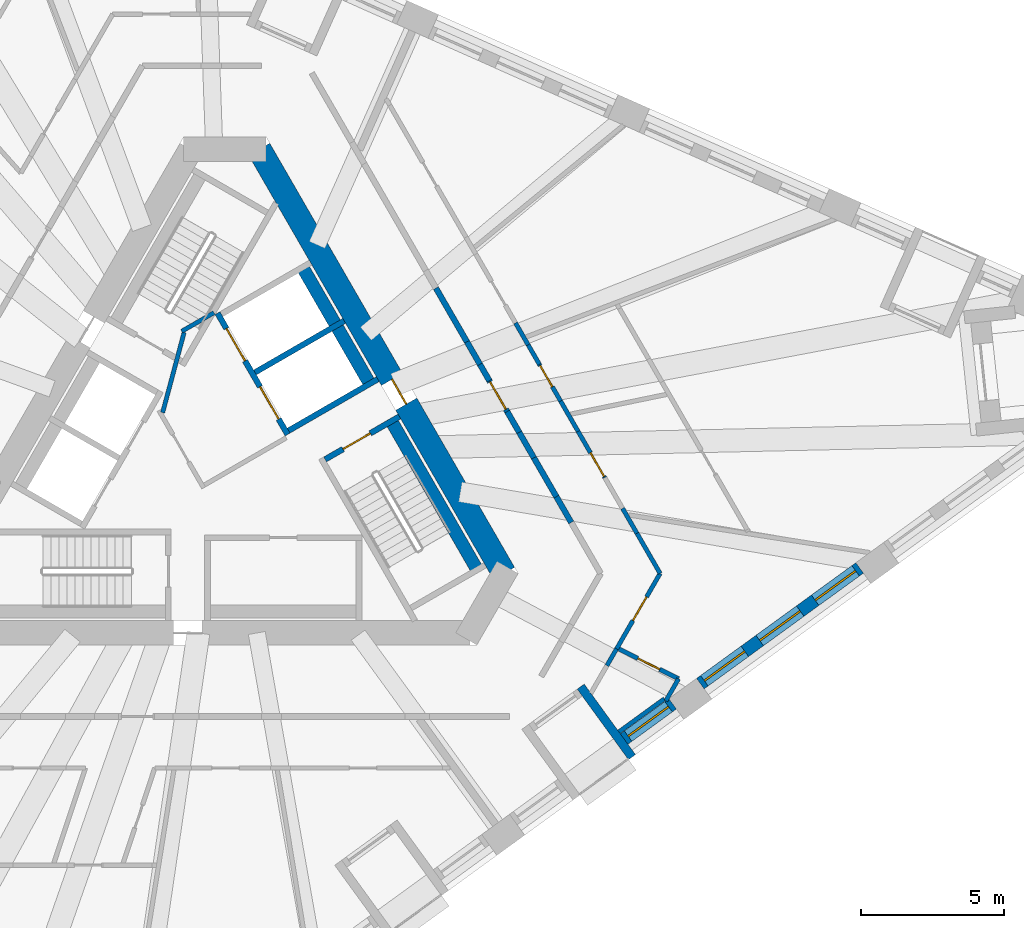
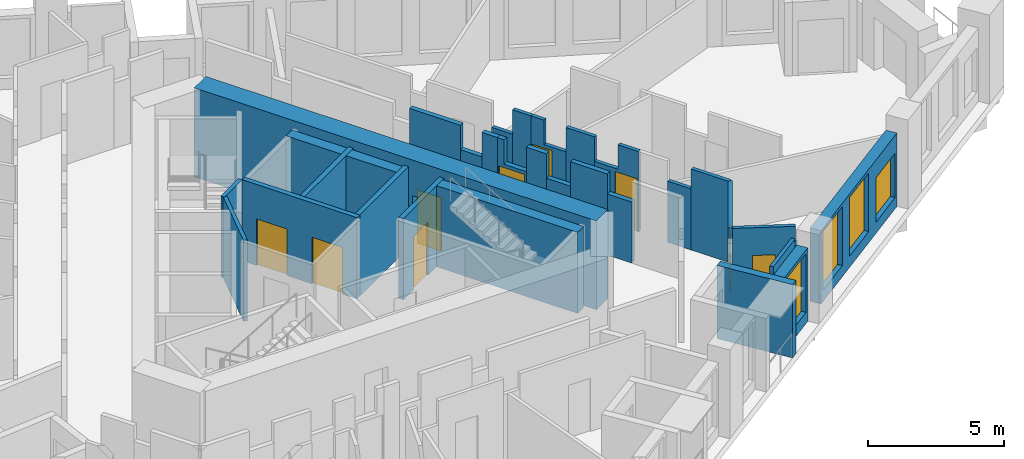
# One storey, part 5 of 14: 32 walls, 9 doors, 4 windows, 13 openings.
"""IFC4 building model written with IfcOpenShell, lengths in metres."""

from ifc_helpers import new_model, si_unit, direction, frame, frame_2d, origin, place, context, subcontext, project, spatial, polyline, rectangle, outline, extrude, material, layer, layer_set, type_object, element, fill, save


model = new_model("IFC4")

# Units and contexts
model_context = context("Model", 3, precision=1e-05, world=origin(), true_north=direction((0.0, 1.0)))
body_context = subcontext(model_context, "Body", "Model", "MODEL_VIEW")
ifc_project = project(units=[si_unit("LENGTHUNIT", "METRE"), si_unit("AREAUNIT", "SQUARE_METRE"), si_unit("VOLUMEUNIT", "CUBIC_METRE"), si_unit("PLANEANGLEUNIT", "RADIAN"), si_unit("MASSUNIT", "GRAM", prefix="KILO")], contexts=[model_context])

# Site, building, storey
site_placement = place(None, origin())
site = spatial("IfcSite", under=ifc_project, at=site_placement, CompositionType="ELEMENT")
building_placement = place(site_placement, origin())
building = spatial("IfcBuilding", under=site, at=building_placement, Name="Tramontana Tower", CompositionType="ELEMENT")
storey_placement = place(building_placement, frame((0.0, 0.0, 166.800048828125)))
storey = spatial("IfcBuildingStorey", under=building, at=storey_placement, Name="L38", CompositionType="ELEMENT", Elevation=166.800048828125)

# Wall, opening, door
ifc_material_1 = material(Name="Concrete 70 MPa", Category="concrete")
ifc_layer_1 = layer(ifc_material_1, 0.85009765625)
ifc_layer_set_1 = layer_set([ifc_layer_1], Name="Core wall 850 70 MPa")
wall_type_1 = type_object("IfcWallType", Name="Core wall 850 70 MPa", PredefinedType="SHEAR", material=ifc_layer_set_1)
wall_1_placement = place(storey_placement, frame((9.757080078125, -4.25, 0.0), z_axis=(0.0, 0.0, 1.0), x_axis=(-0.499995289315, 0.866028123483, 0.0)))
wall_1 = element("IfcWall", 1, at=wall_1_placement, inside=storey, type_object=wall_type_1, Name="Core wall C5 L38", PredefinedType="SHEAR", context=body_context, shape_type="SweptSolid", body=[
    extrude(rectangle(XDim=17.118408203125, YDim=0.85009765625, at=frame_2d((8.55908203125, 0.0))), origin(), (0.0, 0.0, 1.0), 4.0),
])
opening_1_placement = place(wall_1_placement, frame((6.834228515625, 0.0, 0.0)))
opening_1 = element("IfcOpeningElement", 2, at=opening_1_placement, cuts=wall_1, Name="Opening RG3", PredefinedType="OPENING", context=body_context, shape_type="SweptSolid", body=[
    extrude(rectangle(XDim=1.0, YDim=2.39990234375, at=frame_2d((0.5, 1.199951171875))), frame((0.0, 0.43505859375, 0.0), z_axis=(0.0, -1.0, 0.0), x_axis=(1.0, 0.0, 0.0)), (0.0, 0.0, 1.0), 0.8701171875),
])
ifc_material_2 = material(Name="Painted steel", Category="steel")
door_type_1 = type_object("IfcDoorType", Name="RING DOOR 1000", OperationType="SINGLE_SWING_LEFT", PredefinedType="DOOR", material=ifc_material_2)
door_1_placement = place(opening_1_placement, origin())
door_1 = element("IfcDoor", 3, at=door_1_placement, inside=storey, type_object=door_type_1, Name="Door RG3", OperationType="SINGLE_SWING_LEFT", OverallHeight=2.39990234375, OverallWidth=1.0, PredefinedType="DOOR", context=body_context, shape_type="SweptSolid", body=[
    extrude(rectangle(XDim=1.0, YDim=2.39990234375, at=frame_2d((0.5, 1.199951171875))), frame((0.0, 0.02490234375, 0.0), z_axis=(0.0, -1.0, 0.0), x_axis=(1.0, 0.0, 0.0)), (0.0, 0.0, 1.0), 0.050048828125),
])
fill(opening_1, door_1)

# Walls
ifc_material_3 = material(Name="Blockwork", Category="masonry")
ifc_layer_2 = layer(ifc_material_3, 0.199951171875)
ifc_layer_set_2 = layer_set([ifc_layer_2], Name="ENTRY WALL 200")
wall_type_2 = type_object("IfcWallType", Name="ENTRY WALL 200", PredefinedType="SOLIDWALL", material=ifc_layer_set_2)
wall_2_placement = place(storey_placement, frame((7.37548828125, 5.725341796875, 0.0), z_axis=(0.0, 0.0, 1.0), x_axis=(0.499975720793, -0.866039420937, 0.0)))
element("IfcWall", 4, at=wall_2_placement, inside=storey, type_object=wall_type_2, Name="Wall v40-ew0-4", PredefinedType="SOLIDWALL", context=body_context, shape_type="SweptSolid", body=[
    extrude(rectangle(XDim=2.16943359375, YDim=0.199951171875, at=frame_2d((1.084716796875, 0.0))), origin(), (0.0, 0.0, 1.0), 3.64990234375),
])
wall_3_placement = place(storey_placement, frame((8.460205078125, 3.846435546875, 0.0), z_axis=(0.0, 0.0, 1.0), x_axis=(0.499977996243, -0.866038107287, 0.0)))
element("IfcWall", 5, at=wall_3_placement, inside=storey, type_object=wall_type_2, Name="Wall v40-ew0-5", PredefinedType="SOLIDWALL", context=body_context, shape_type="SweptSolid", body=[
    extrude(rectangle(XDim=0.90966796875, YDim=0.199951171875, at=frame_2d((0.454833984375, 0.0))), origin(), (0.0, 0.0, 1.0), 2.550048828125),
])
wall_4_placement = place(storey_placement, frame((8.9150390625, 3.05859375, 0.0), z_axis=(0.0, 0.0, 1.0), x_axis=(0.49988272303, -0.866093103087, 0.0)))
element("IfcWall", 6, at=wall_4_placement, inside=storey, type_object=wall_type_2, Name="Wall v40-ew0-6", PredefinedType="SOLIDWALL", context=body_context, shape_type="SweptSolid", body=[
    extrude(rectangle(XDim=0.659423828125, YDim=0.199951171875, at=frame_2d((0.32958984375, 0.0))), origin(), (0.0, 0.0, 1.0), 3.64990234375),
])

# Wall, opening, door
wall_5_placement = place(storey_placement, frame((9.24462890625, 2.487548828125, 0.0), z_axis=(0.0, 0.0, 1.0), x_axis=(0.500124074208, -0.865953757655, 0.0)))
wall_5 = element("IfcWall", 7, at=wall_5_placement, inside=storey, type_object=wall_type_2, Name="Wall v40-ew0-7", PredefinedType="SOLIDWALL", context=body_context, shape_type="SweptSolid", body=[
    extrude(outline(polyline([(0.0, 0.0), (1.245361328125, 0.0), (1.2451171875, 2.550048828125), (0.291748046875, 2.550048828125), (0.291748046875, 3.64990234375), (0.0, 3.64990234375), (0.0, 0.0)])), frame((0.0, 0.10009765625, 0.0), z_axis=(0.0, -1.0, 0.0), x_axis=(1.0, 0.0, 0.0)), (0.0, 0.0, 1.0), 0.199951171875),
])
opening_2_placement = place(wall_5_placement, frame((0.050048828125, 0.0, 0.0)))
opening_2 = element("IfcOpeningElement", 8, at=opening_2_placement, cuts=wall_5, Name="Opening B4A-24", PredefinedType="OPENING", context=body_context, shape_type="SweptSolid", body=[
    extrude(rectangle(XDim=1.10009765625, YDim=2.39990234375, at=frame_2d((0.550048828125, 1.199951171875))), frame((0.0, 0.10986328125, 0.0), z_axis=(0.0, -1.0, 0.0), x_axis=(1.0, 0.0, 0.0)), (0.0, 0.0, 1.0), 0.219970703125),
])
ifc_material_4 = material(Name="Painted timber", Category="wood")
door_type_2 = type_object("IfcDoorType", Name="DOOR ENTRY 1100", OperationType="SINGLE_SWING_LEFT", PredefinedType="DOOR", material=ifc_material_4)
door_2_placement = place(opening_2_placement, origin())
door_2 = element("IfcDoor", 9, at=door_2_placement, inside=storey, type_object=door_type_2, Name="Door B4A-24", OperationType="SINGLE_SWING_RIGHT", OverallHeight=2.39990234375, OverallWidth=1.10009765625, PredefinedType="DOOR", context=body_context, shape_type="SweptSolid", body=[
    extrude(rectangle(XDim=1.10009765625, YDim=2.39990234375, at=frame_2d((0.550048828125, 1.199951171875))), frame((0.0, 0.02490234375, 0.0), z_axis=(0.0, -1.0, 0.0), x_axis=(1.0, 0.0, 0.0)), (0.0, 0.0, 1.0), 0.050048828125),
])
fill(opening_2, door_2)

# Walls
wall_6_placement = place(storey_placement, frame((9.867431640625, 1.4091796875, 0.0), z_axis=(0.0, 0.0, 1.0), x_axis=(0.499822960955, -0.8661275932, 0.0)))
element("IfcWall", 10, at=wall_6_placement, inside=storey, type_object=wall_type_2, Name="Wall v40-ew0-8", PredefinedType="SOLIDWALL", context=body_context, shape_type="SweptSolid", body=[
    extrude(rectangle(XDim=0.841064453125, YDim=0.199951171875, at=frame_2d((0.42041015625, 0.0))), origin(), (0.0, 0.0, 1.0), 3.64990234375),
])
wall_7_placement = place(storey_placement, frame((10.287841796875, 0.6806640625, 0.0), z_axis=(0.0, 0.0, 1.0), x_axis=(0.500079402778, -0.865979555715, 0.0)))
element("IfcWall", 11, at=wall_7_placement, inside=storey, type_object=wall_type_2, Name="Wall v40-ew0-9", PredefinedType="SOLIDWALL", context=body_context, shape_type="SweptSolid", body=[
    extrude(rectangle(XDim=1.026123046875, YDim=0.199951171875, at=frame_2d((0.51318359375, 0.0))), origin(), (0.0, 0.0, 1.0), 2.550048828125),
])
wall_8_placement = place(storey_placement, frame((10.801025390625, -0.2080078125, 0.0), z_axis=(0.0, 0.0, 1.0), x_axis=(0.500031717574, -0.86600709086, 0.0)))
element("IfcWall", 12, at=wall_8_placement, inside=storey, type_object=wall_type_2, Name="Wall v40-ew0-10", PredefinedType="SOLIDWALL", context=body_context, shape_type="SweptSolid", body=[
    extrude(rectangle(XDim=1.57177734375, YDim=0.199951171875, at=frame_2d((0.785888671875, 0.0))), origin(), (0.0, 0.0, 1.0), 3.64990234375),
])
wall_9_placement = place(storey_placement, frame((11.5869140625, -1.569091796875, 0.0), z_axis=(0.0, 0.0, 1.0), x_axis=(0.500054530113, -0.86599391852, 0.0)))
element("IfcWall", 13, at=wall_9_placement, inside=storey, type_object=wall_type_2, Name="Wall v40-ew0-11", PredefinedType="SOLIDWALL", context=body_context, shape_type="SweptSolid", body=[
    extrude(rectangle(XDim=1.03955078125, YDim=0.199951171875, at=frame_2d((0.519775390625, 0.0))), origin(), (0.0, 0.0, 1.0), 2.75),
])

# Wall, opening, window
ifc_material_5 = material(Name="Precast concrete 60 MPa", Category="concrete")
ifc_layer_3 = layer(ifc_material_5, 0.449951171875)
ifc_layer_set_3 = layer_set([ifc_layer_3], Name="Precast concrete 60 MPa, 450 mm")
wall_type_3 = type_object("IfcWallType", Name="EW1 Stone-faced precast wall 450", PredefinedType="SOLIDWALL", material=ifc_layer_set_3)
wall_10_placement = place(storey_placement, frame((13.955078125, -10.039794921875, 0.0), z_axis=(0.0, 0.0, 1.0), x_axis=(0.809028366311, 0.587769599847, 0.0)))
wall_10 = element("IfcWall", 14, at=wall_10_placement, inside=storey, type_object=wall_type_3, Name="External wall L38 face 1 bay 4", PredefinedType="SOLIDWALL", context=body_context, shape_type="SweptSolid", body=[
    extrude(rectangle(XDim=2.09423828125, YDim=0.449951171875, at=frame_2d((1.047119140625, 0.0))), origin(), (0.0, 0.0, 1.0), 3.300048828125),
])
opening_3_placement = place(wall_10_placement, frame((0.172119140625, 0.0, 0.5)))
opening_3 = element("IfcOpeningElement", 15, at=opening_3_placement, cuts=wall_10, Name="Opening M2", PredefinedType="OPENING", context=body_context, shape_type="SweptSolid", body=[
    extrude(rectangle(XDim=1.75, YDim=2.64990234375, at=frame_2d((0.875, 1.324951171875))), frame((0.0, 0.23486328125, 0.0), z_axis=(0.0, -1.0, 0.0), x_axis=(1.0, 0.0, 0.0)), (0.0, 0.0, 1.0), 0.469970703125),
])
ifc_material_6 = material(Name="Aluminum frame, double glazing unit", Category="aluminium")
window_type_1 = type_object("IfcWindowType", Name="M2 Window 1.75 x 2.65", PartitioningType="SINGLE_PANEL", PredefinedType="WINDOW", material=ifc_material_6)
window_1_placement = place(opening_3_placement, origin())
window_1 = element("IfcWindow", 16, at=window_1_placement, inside=storey, type_object=window_type_1, Name="Window M2 L38 face 1 module 12", OverallHeight=2.64990234375, OverallWidth=1.75, PartitioningType="SINGLE_PANEL", PredefinedType="WINDOW", context=body_context, shape_type="SweptSolid", body=[
    extrude(rectangle(XDim=1.75, YDim=2.64990234375, at=frame_2d((0.875, 1.324951171875))), frame((0.0, 0.030029296875, 0.0), z_axis=(0.0, -1.0, 0.0), x_axis=(1.0, 0.0, 0.0)), (0.0, 0.0, 1.0), 0.06005859375),
])
fill(opening_3, window_1)

# Wall, openings, windows
wall_11_placement = place(storey_placement, frame((16.6201171875, -8.103515625, 0.0), z_axis=(0.0, 0.0, 1.0), x_axis=(0.809016690404, 0.587785670672, 0.0)))
wall_11 = element("IfcWall", 17, at=wall_11_placement, inside=storey, type_object=wall_type_3, Name="External wall L38 face 1 bay 5", PredefinedType="SOLIDWALL", context=body_context, shape_type="SweptSolid", body=[
    extrude(rectangle(XDim=6.8828125, YDim=0.449951171875, at=frame_2d((3.44140625, 0.0))), origin(), (0.0, 0.0, 1.0), 3.300048828125),
])
opening_4_placement = place(wall_11_placement, frame((0.172119140625, 0.0, 0.5)))
opening_4 = element("IfcOpeningElement", 18, at=opening_4_placement, cuts=wall_11, Name="Opening M2", PredefinedType="OPENING", context=body_context, shape_type="SweptSolid", body=[
    extrude(rectangle(XDim=1.75, YDim=2.64990234375, at=frame_2d((0.875, 1.324951171875))), frame((0.0, 0.23486328125, 0.0), z_axis=(0.0, -1.0, 0.0), x_axis=(1.0, 0.0, 0.0)), (0.0, 0.0, 1.0), 0.469970703125),
])
opening_5_placement = place(wall_11_placement, frame((2.56640625, 0.0, 0.5)))
opening_5 = element("IfcOpeningElement", 19, at=opening_5_placement, cuts=wall_11, Name="Opening M2", PredefinedType="OPENING", context=body_context, shape_type="SweptSolid", body=[
    extrude(rectangle(XDim=1.75, YDim=2.64990234375, at=frame_2d((0.875, 1.324951171875))), frame((0.0, 0.23486328125, 0.0), z_axis=(0.0, -1.0, 0.0), x_axis=(1.0, 0.0, 0.0)), (0.0, 0.0, 1.0), 0.469970703125),
])
opening_6_placement = place(wall_11_placement, frame((4.960693359375, 0.0, 0.5)))
opening_6 = element("IfcOpeningElement", 20, at=opening_6_placement, cuts=wall_11, Name="Opening M2L", PredefinedType="OPENING", context=body_context, shape_type="SweptSolid", body=[
    extrude(rectangle(XDim=1.75, YDim=2.0, at=frame_2d((0.875, 1.0))), frame((0.0, 0.23486328125, 0.0), z_axis=(0.0, -1.0, 0.0), x_axis=(1.0, 0.0, 0.0)), (0.0, 0.0, 1.0), 0.469970703125),
])
window_2_placement = place(opening_4_placement, origin())
window_2 = element("IfcWindow", 21, at=window_2_placement, inside=storey, type_object=window_type_1, Name="Window M2 L38 face 1 module 13", OverallHeight=2.64990234375, OverallWidth=1.75, PartitioningType="SINGLE_PANEL", PredefinedType="WINDOW", context=body_context, shape_type="SweptSolid", body=[
    extrude(rectangle(XDim=1.75, YDim=2.64990234375, at=frame_2d((0.875, 1.324951171875))), frame((0.0, 0.030029296875, 0.0), z_axis=(0.0, -1.0, 0.0), x_axis=(1.0, 0.0, 0.0)), (0.0, 0.0, 1.0), 0.06005859375),
])
fill(opening_4, window_2)
window_3_placement = place(opening_5_placement, origin())
window_3 = element("IfcWindow", 22, at=window_3_placement, inside=storey, type_object=window_type_1, Name="Window M2 L38 face 1 module 14", OverallHeight=2.64990234375, OverallWidth=1.75, PartitioningType="SINGLE_PANEL", PredefinedType="WINDOW", context=body_context, shape_type="SweptSolid", body=[
    extrude(rectangle(XDim=1.75, YDim=2.64990234375, at=frame_2d((0.875, 1.324951171875))), frame((0.0, 0.030029296875, 0.0), z_axis=(0.0, -1.0, 0.0), x_axis=(1.0, 0.0, 0.0)), (0.0, 0.0, 1.0), 0.06005859375),
])
fill(opening_5, window_3)
ifc_material_7 = material(Name="Aluminum frame, double glazing unit", Category="aluminium")
window_type_2 = type_object("IfcWindowType", Name="M2L Window 1.75 x 2", PartitioningType="SINGLE_PANEL", PredefinedType="WINDOW", material=ifc_material_7)
window_4_placement = place(opening_6_placement, origin())
window_4 = element("IfcWindow", 23, at=window_4_placement, inside=storey, type_object=window_type_2, Name="Window M2L L38 face 1 module 15", OverallHeight=2.0, OverallWidth=1.75, PartitioningType="SINGLE_PANEL", PredefinedType="WINDOW", context=body_context, shape_type="SweptSolid", body=[
    extrude(rectangle(XDim=1.75, YDim=2.0, at=frame_2d((0.875, 1.0))), frame((0.0, 0.030029296875, 0.0), z_axis=(0.0, -1.0, 0.0), x_axis=(1.0, 0.0, 0.0)), (0.0, 0.0, 1.0), 0.06005859375),
])
fill(opening_6, window_4)

# Walls
ifc_material_8 = material(Name="Precast concrete 60 MPa", Category="concrete")
ifc_layer_4 = layer(ifc_material_8, 0.300048828125)
ifc_layer_set_4 = layer_set([ifc_layer_4], Name="LW1 Stone-faced loggia wall 300")
wall_type_4 = type_object("IfcWallType", Name="LW1 Stone-faced loggia wall 300", PredefinedType="SOLIDWALL", material=ifc_layer_set_4)
wall_12_placement = place(storey_placement, frame((14.23046875, -10.674072265625, 0.0), z_axis=(0.0, 0.0, 1.0), x_axis=(-0.587776590479, 0.80902328748, 0.0)))
element("IfcWall", 24, at=wall_12_placement, inside=storey, type_object=wall_type_4, Name="Loggia return L38 G4S1.10b", PredefinedType="SOLIDWALL", context=body_context, shape_type="SweptSolid", body=[
    extrude(rectangle(XDim=3.050048828125, YDim=0.300048828125, at=frame_2d((1.52490234375, 0.0))), origin(), (0.0, 0.0, 1.0), 3.300048828125),
])
ifc_material_9 = material(Name="Gypsum board partition")
ifc_layer_5 = layer(ifc_material_9, 0.14990234375)
ifc_layer_set_5 = layer_set([ifc_layer_5], Name="PARTITION 150")
wall_type_5 = type_object("IfcWallType", Name="PARTITION 150", PredefinedType="PARTITIONING", material=ifc_layer_set_5)
wall_13_placement = place(storey_placement, frame((-2.177978515625, 1.372314453125, 0.0), z_axis=(0.0, 0.0, 1.0), x_axis=(0.258808958833, 0.96592852884, 0.0)))
element("IfcWall", 25, at=wall_13_placement, inside=storey, type_object=wall_type_5, Name="Wall ff-diag", PredefinedType="PARTITIONING", context=body_context, shape_type="SweptSolid", body=[
    extrude(rectangle(XDim=2.902587890625, YDim=0.14990234375, at=frame_2d((1.451171875, 0.0))), origin(), (0.0, 0.0, 1.0), 3.64990234375),
])
wall_14_placement = place(storey_placement, frame((-1.509765625, 4.21484375, 0.0), z_axis=(0.0, 0.0, 1.0), x_axis=(0.866085525409, 0.49989585183, 0.0)))
element("IfcWall", 26, at=wall_14_placement, inside=storey, type_object=wall_type_5, Name="Wall ff-end1", PredefinedType="PARTITIONING", context=body_context, shape_type="SweptSolid", body=[
    extrude(rectangle(XDim=1.300048828125, YDim=0.14990234375, at=frame_2d((0.64990234375, 0.0))), origin(), (0.0, 0.0, 1.0), 3.64990234375),
])
wall_15_placement = place(storey_placement, frame((10.1572265625, 4.50732421875, 0.0), z_axis=(0.0, 0.0, 1.0), x_axis=(0.499969398072, -0.866043071095, 0.0)))
element("IfcWall", 27, at=wall_15_placement, inside=storey, type_object=wall_type_5, Name="Wall v40-pw24-4", PredefinedType="PARTITIONING", context=body_context, shape_type="SweptSolid", body=[
    extrude(rectangle(XDim=0.88427734375, YDim=0.14990234375, at=frame_2d((0.442138671875, 0.0))), origin(), (0.0, 0.0, 1.0), 2.550048828125),
])
wall_16_placement = place(storey_placement, frame((10.599365234375, 3.741455078125, 0.0), z_axis=(0.0, 0.0, 1.0), x_axis=(0.499865263774, -0.866103179807, 0.0)))
element("IfcWall", 28, at=wall_16_placement, inside=storey, type_object=wall_type_5, Name="Wall v40-pw24-5", PredefinedType="PARTITIONING", context=body_context, shape_type="SweptSolid", body=[
    extrude(rectangle(XDim=0.789306640625, YDim=0.14990234375, at=frame_2d((0.39453125, 0.0))), origin(), (0.0, 0.0, 1.0), 3.64990234375),
])

# Wall, opening, door
wall_17_placement = place(storey_placement, frame((10.993896484375, 3.057861328125, 0.0), z_axis=(0.0, 0.0, 1.0), x_axis=(0.500022136814, -0.866012622712, 0.0)))
wall_17 = element("IfcWall", 29, at=wall_17_placement, inside=storey, type_object=wall_type_5, Name="Wall v40-pw24-6", PredefinedType="PARTITIONING", context=body_context, shape_type="SweptSolid", body=[
    extrude(outline(polyline([(0.0, 0.0), (1.48095703125, 0.0), (1.48095703125, 2.550048828125), (0.553955078125, 2.550048828125), (0.553955078125, 3.64990234375), (0.0, 3.64990234375), (0.0, 0.0)])), frame((0.0, 0.074951171875, 0.0), z_axis=(0.0, -1.0, 0.0), x_axis=(1.0, 0.0, 0.0)), (0.0, 0.0, 1.0), 0.14990234375),
])
opening_7_placement = place(wall_17_placement, frame((0.050048828125, 0.0, 0.0)))
opening_7 = element("IfcOpeningElement", 30, at=opening_7_placement, cuts=wall_17, Name="Opening B4A-16", PredefinedType="OPENING", context=body_context, shape_type="SweptSolid", body=[
    extrude(rectangle(XDim=0.85009765625, YDim=2.39990234375, at=frame_2d((0.425048828125, 1.199951171875))), frame((0.0, 0.0849609375, 0.0), z_axis=(0.0, -1.0, 0.0), x_axis=(1.0, 0.0, 0.0)), (0.0, 0.0, 1.0), 0.169921875),
])
ifc_material_10 = material(Name="Painted timber", Category="wood")
door_type_3 = type_object("IfcDoorType", Name="DOOR BATH 850", OperationType="SINGLE_SWING_LEFT", PredefinedType="DOOR", material=ifc_material_10)
door_3_placement = place(opening_7_placement, origin())
door_3 = element("IfcDoor", 31, at=door_3_placement, inside=storey, type_object=door_type_3, Name="Door B4A-16", OperationType="SINGLE_SWING_RIGHT", OverallHeight=2.39990234375, OverallWidth=0.85009765625, PredefinedType="DOOR", context=body_context, shape_type="SweptSolid", body=[
    extrude(rectangle(XDim=0.85009765625, YDim=2.39990234375, at=frame_2d((0.425048828125, 1.199951171875))), frame((0.0, 0.02490234375, 0.0), z_axis=(0.0, -1.0, 0.0), x_axis=(1.0, 0.0, 0.0)), (0.0, 0.0, 1.0), 0.050048828125),
])
fill(opening_7, door_3)

# Wall
wall_18_placement = place(storey_placement, frame((11.734375, 1.775390625, 0.0), z_axis=(0.0, 0.0, 1.0), x_axis=(0.499975448907, -0.8660395779, 0.0)))
element("IfcWall", 32, at=wall_18_placement, inside=storey, type_object=wall_type_5, Name="Wall v40-pw24-7", PredefinedType="PARTITIONING", context=body_context, shape_type="SweptSolid", body=[
    extrude(rectangle(XDim=1.22509765625, YDim=0.14990234375, at=frame_2d((0.612548828125, 0.0))), origin(), (0.0, 0.0, 1.0), 3.64990234375),
])

# Wall, opening, door
wall_19_placement = place(storey_placement, frame((12.346923828125, 0.71435546875, 0.0), z_axis=(0.0, 0.0, 1.0), x_axis=(0.499998297855, -0.866026386516, 0.0)))
wall_19 = element("IfcWall", 33, at=wall_19_placement, inside=storey, type_object=wall_type_5, Name="Wall v40-pw24-8", PredefinedType="PARTITIONING", context=body_context, shape_type="SweptSolid", body=[
    extrude(outline(polyline([(0.0, 0.0), (1.8642578125, 0.0), (1.864501953125, 3.64990234375), (0.997802734375, 3.64990234375), (0.997802734375, 2.550048828125), (0.0, 2.550048828125), (0.0, 0.0)])), frame((0.0, 0.074951171875, 0.0), z_axis=(0.0, -1.0, 0.0), x_axis=(1.0, 0.0, 0.0)), (0.0, 0.0, 1.0), 0.14990234375),
])
opening_8_placement = place(wall_19_placement, frame((0.864501953125, 0.0, 0.0)))
opening_8 = element("IfcOpeningElement", 34, at=opening_8_placement, cuts=wall_19, Name="Opening B4A-15", PredefinedType="OPENING", context=body_context, shape_type="SweptSolid", body=[
    extrude(rectangle(XDim=0.949951171875, YDim=2.39990234375, at=frame_2d((0.47509765625, 1.199951171875))), frame((0.0, 0.0849609375, 0.0), z_axis=(0.0, -1.0, 0.0), x_axis=(1.0, 0.0, 0.0)), (0.0, 0.0, 1.0), 0.169921875),
])
ifc_material_11 = material(Name="Painted timber", Category="wood")
door_type_4 = type_object("IfcDoorType", Name="DOOR ROOM 950", OperationType="SINGLE_SWING_LEFT", PredefinedType="DOOR", material=ifc_material_11)
door_4_placement = place(opening_8_placement, origin())
door_4 = element("IfcDoor", 35, at=door_4_placement, inside=storey, type_object=door_type_4, Name="Door B4A-15", OperationType="SINGLE_SWING_LEFT", OverallHeight=2.39990234375, OverallWidth=0.949951171875, PredefinedType="DOOR", context=body_context, shape_type="SweptSolid", body=[
    extrude(rectangle(XDim=0.949951171875, YDim=2.39990234375, at=frame_2d((0.47509765625, 1.199951171875))), frame((0.0, 0.02490234375, 0.0), z_axis=(0.0, -1.0, 0.0), x_axis=(1.0, 0.0, 0.0)), (0.0, 0.0, 1.0), 0.050048828125),
])
fill(opening_8, door_4)

# Walls
wall_20_placement = place(storey_placement, frame((13.900390625, -1.97607421875, 0.0), z_axis=(0.0, 0.0, 1.0), x_axis=(0.499946326053, -0.866056390234, 0.0)))
element("IfcWall", 36, at=wall_20_placement, inside=storey, type_object=wall_type_5, Name="Wall v40-pw24-10", PredefinedType="PARTITIONING", context=body_context, shape_type="SweptSolid", body=[
    extrude(rectangle(XDim=1.0068359375, YDim=0.14990234375, at=frame_2d((0.50341796875, 0.0))), origin(), (0.0, 0.0, 1.0), 2.75),
])
wall_21_placement = place(storey_placement, frame((14.40380859375, -2.84814453125, 0.0), z_axis=(0.0, 0.0, 1.0), x_axis=(0.499983569942, -0.866034889475, 0.0)))
element("IfcWall", 37, at=wall_21_placement, inside=storey, type_object=wall_type_5, Name="Wall v40-pw24-11", PredefinedType="PARTITIONING", context=body_context, shape_type="SweptSolid", body=[
    extrude(rectangle(XDim=1.61865234375, YDim=0.14990234375, at=frame_2d((0.809326171875, 0.0))), origin(), (0.0, 0.0, 1.0), 3.64990234375),
])

# Wall, opening, door
wall_22_placement = place(storey_placement, frame((15.85791015625, -7.93310546875, 0.0), z_axis=(0.0, 0.0, 1.0), x_axis=(-0.894343317487, 0.447381303215, 0.0)))
wall_22 = element("IfcWall", 38, at=wall_22_placement, inside=storey, type_object=wall_type_5, Name="Wall v40-pw32", PredefinedType="PARTITIONING", context=body_context, shape_type="SweptSolid", body=[
    extrude(rectangle(XDim=2.3291015625, YDim=0.14990234375, at=frame_2d((1.16455078125, 0.0))), origin(), (0.0, 0.0, 1.0), 3.64990234375),
])
opening_9_placement = place(wall_22_placement, frame((0.739501953125, 0.0, 0.0)))
opening_9 = element("IfcOpeningElement", 39, at=opening_9_placement, cuts=wall_22, Name="Opening B4A-20", PredefinedType="OPENING", context=body_context, shape_type="SweptSolid", body=[
    extrude(rectangle(XDim=0.85009765625, YDim=2.39990234375, at=frame_2d((0.425048828125, 1.199951171875))), frame((0.0, 0.0849609375, 0.0), z_axis=(0.0, -1.0, 0.0), x_axis=(1.0, 0.0, 0.0)), (0.0, 0.0, 1.0), 0.169921875),
])
door_5_placement = place(opening_9_placement, origin())
door_5 = element("IfcDoor", 40, at=door_5_placement, inside=storey, type_object=door_type_3, Name="Door B4A-20", OperationType="SINGLE_SWING_RIGHT", OverallHeight=2.39990234375, OverallWidth=0.85009765625, PredefinedType="DOOR", context=body_context, shape_type="SweptSolid", body=[
    extrude(rectangle(XDim=0.85009765625, YDim=2.39990234375, at=frame_2d((0.425048828125, 1.199951171875))), frame((0.0, 0.02490234375, 0.0), z_axis=(0.0, -1.0, 0.0), x_axis=(1.0, 0.0, 0.0)), (0.0, 0.0, 1.0), 0.050048828125),
])
fill(opening_9, door_5)

wall_23_placement = place(storey_placement, frame((15.213134765625, -4.25, 0.0), z_axis=(0.0, 0.0, 1.0), x_axis=(-0.500018497585, -0.866014723935, 0.0)))
wall_23 = element("IfcWall", 41, at=wall_23_placement, inside=storey, type_object=wall_type_5, Name="Wall v40-pw33-0", PredefinedType="PARTITIONING", context=body_context, shape_type="SweptSolid", body=[
    extrude(rectangle(XDim=3.0458984375, YDim=0.14990234375, at=frame_2d((1.52294921875, 0.0))), origin(), (0.0, 0.0, 1.0), 3.64990234375),
])
opening_10_placement = place(wall_23_placement, frame((0.9501953125, 0.0, 0.0)))
opening_10 = element("IfcOpeningElement", 42, at=opening_10_placement, cuts=wall_23, Name="Opening B4A-17", PredefinedType="OPENING", context=body_context, shape_type="SweptSolid", body=[
    extrude(rectangle(XDim=0.949951171875, YDim=2.39990234375, at=frame_2d((0.47509765625, 1.199951171875))), frame((0.0, 0.0849609375, 0.0), z_axis=(0.0, -1.0, 0.0), x_axis=(1.0, 0.0, 0.0)), (0.0, 0.0, 1.0), 0.169921875),
])
door_6_placement = place(opening_10_placement, origin())
door_6 = element("IfcDoor", 43, at=door_6_placement, inside=storey, type_object=door_type_4, Name="Door B4A-17", OperationType="SINGLE_SWING_LEFT", OverallHeight=2.39990234375, OverallWidth=0.949951171875, PredefinedType="DOOR", context=body_context, shape_type="SweptSolid", body=[
    extrude(rectangle(XDim=0.949951171875, YDim=2.39990234375, at=frame_2d((0.47509765625, 1.199951171875))), frame((0.0, 0.02490234375, 0.0), z_axis=(0.0, -1.0, 0.0), x_axis=(1.0, 0.0, 0.0)), (0.0, 0.0, 1.0), 0.050048828125),
])
fill(opening_10, door_6)

# Walls
wall_24_placement = place(storey_placement, frame((13.690185546875, -6.8876953125, 0.0), z_axis=(0.0, 0.0, 1.0), x_axis=(-0.499910196476, -0.866077245666, 0.0)))
element("IfcWall", 44, at=wall_24_placement, inside=storey, type_object=wall_type_5, Name="Wall v40-pw33-1", PredefinedType="PARTITIONING", context=body_context, shape_type="SweptSolid", body=[
    extrude(rectangle(XDim=0.67529296875, YDim=0.14990234375, at=frame_2d((0.337646484375, 0.0))), origin(), (0.0, 0.0, 1.0), 2.949951171875),
])
wall_25_placement = place(storey_placement, frame((15.364501953125, -8.6328125, 0.0), z_axis=(0.0, 0.0, 1.0), x_axis=(-0.809036512602, -0.58775838682, 0.0)))
element("IfcWall", 45, at=wall_25_placement, inside=storey, type_object=wall_type_5, Name="Wall v40-pw34", PredefinedType="PARTITIONING", context=body_context, shape_type="SweptSolid", body=[
    extrude(rectangle(XDim=1.96728515625, YDim=0.14990234375, at=frame_2d((0.983642578125, 0.0))), origin(), (0.0, 0.0, 1.0), 3.64990234375),
])
wall_26_placement = place(storey_placement, frame((15.85791015625, -7.93310546875, 0.0), z_axis=(0.0, 0.0, 1.0), x_axis=(-0.500016243463, -0.866016025414, 0.0)))
element("IfcWall", 46, at=wall_26_placement, inside=storey, type_object=wall_type_5, Name="Wall v40-pw35-0", PredefinedType="PARTITIONING", context=body_context, shape_type="SweptSolid", body=[
    extrude(rectangle(XDim=0.88720703125, YDim=0.14990234375, at=frame_2d((0.443603515625, 0.0))), origin(), (0.0, 0.0, 1.0), 2.949951171875),
])
ifc_material_12 = material(Name="Concrete 70 MPa", Category="concrete")
ifc_layer_6 = layer(ifc_material_12, 0.449951171875)
ifc_layer_set_6 = layer_set([ifc_layer_6], Name="Concrete 70 MPa, 450 mm")
wall_type_6 = type_object("IfcWallType", Name="RC SHAFT BACK WALL 450", PredefinedType="SOLIDWALL", material=ifc_layer_set_6)
wall_27_placement = place(storey_placement, frame((8.8681640625, -4.2099609375, 0.0), z_axis=(0.0, 0.0, 1.0), x_axis=(-0.500009909098, 0.866019682689, 0.0)))
element("IfcWall", 47, at=wall_27_placement, inside=storey, type_object=wall_type_6, Name="Wall st3-back", PredefinedType="SOLIDWALL", context=body_context, shape_type="SweptSolid", body=[
    extrude(rectangle(XDim=6.199951171875, YDim=0.449951171875, at=frame_2d((3.10009765625, 0.0))), origin(), (0.0, 0.0, 1.0), 3.64990234375),
])
wall_28_placement = place(storey_placement, frame((5.113037109375, 2.2939453125, 0.0), z_axis=(0.0, 0.0, 1.0), x_axis=(-0.500002801628, 0.866023786258, 0.0)))
element("IfcWall", 48, at=wall_28_placement, inside=storey, type_object=wall_type_6, Name="Wall row2-back", PredefinedType="SOLIDWALL", context=body_context, shape_type="SweptSolid", body=[
    extrude(rectangle(XDim=4.89990234375, YDim=0.449951171875, at=frame_2d((2.449951171875, 0.0))), origin(), (0.0, 0.0, 1.0), 3.64990234375),
])

# Wall, opening, door
ifc_material_13 = material(Name="Concrete 70 MPa", Category="concrete")
ifc_layer_7 = layer(ifc_material_13, 0.199951171875)
ifc_layer_set_7 = layer_set([ifc_layer_7], Name="Concrete 70 MPa, 200 mm")
wall_type_7 = type_object("IfcWallType", Name="RC STAIR AND SHAFT WALL 200", PredefinedType="SOLIDWALL", material=ifc_layer_set_7)
wall_29_placement = place(storey_placement, frame((3.50146484375, -0.2646484375, 0.0), z_axis=(0.0, 0.0, 1.0), x_axis=(0.866031096941, 0.499990139034, 0.0)))
wall_29 = element("IfcWall", 49, at=wall_29_placement, inside=storey, type_object=wall_type_7, Name="Wall st3-near", PredefinedType="SOLIDWALL", context=body_context, shape_type="SweptSolid", body=[
    extrude(rectangle(XDim=3.0, YDim=0.199951171875, at=frame_2d((1.5, 0.0))), origin(), (0.0, 0.0, 1.0), 3.64990234375),
])
opening_11_placement = place(wall_29_placement, frame((0.72509765625, 0.0, 0.0)))
opening_11 = element("IfcOpeningElement", 50, at=opening_11_placement, cuts=wall_29, Name="Opening SD3", PredefinedType="OPENING", context=body_context, shape_type="SweptSolid", body=[
    extrude(rectangle(XDim=1.10009765625, YDim=2.39990234375, at=frame_2d((0.550048828125, 1.199951171875))), frame((0.0, 0.10986328125, 0.0), z_axis=(0.0, -1.0, 0.0), x_axis=(1.0, 0.0, 0.0)), (0.0, 0.0, 1.0), 0.219970703125),
])
ifc_material_14 = material(Name="Painted steel", Category="steel")
door_type_5 = type_object("IfcDoorType", Name="STAIR DOOR 1100", OperationType="SINGLE_SWING_LEFT", PredefinedType="DOOR", material=ifc_material_14)
door_7_placement = place(opening_11_placement, origin())
door_7 = element("IfcDoor", 51, at=door_7_placement, inside=storey, type_object=door_type_5, Name="Door SD3", OperationType="SINGLE_SWING_RIGHT", OverallHeight=2.39990234375, OverallWidth=1.10009765625, PredefinedType="DOOR", context=body_context, shape_type="SweptSolid", body=[
    extrude(rectangle(XDim=1.10009765625, YDim=2.39990234375, at=frame_2d((0.550048828125, 1.199951171875))), frame((0.0, 0.02490234375, 0.0), z_axis=(0.0, -1.0, 0.0), x_axis=(1.0, 0.0, 0.0)), (0.0, 0.0, 1.0), 0.050048828125),
])
fill(opening_11, door_7)

# Wall, openings, doors
wall_30_placement = place(storey_placement, frame((2.190185546875, 0.6064453125, 0.0), z_axis=(0.0, 0.0, 1.0), x_axis=(-0.500002801628, 0.866023786258, 0.0)))
wall_30 = element("IfcWall", 52, at=wall_30_placement, inside=storey, type_object=wall_type_7, Name="Wall row2-front", PredefinedType="SOLIDWALL", context=body_context, shape_type="SweptSolid", body=[
    extrude(rectangle(XDim=4.89990234375, YDim=0.199951171875, at=frame_2d((2.449951171875, 0.0))), origin(), (0.0, 0.0, 1.0), 3.64990234375),
])
opening_12_placement = place(wall_30_placement, frame((0.625, 0.0, 0.0)))
opening_12 = element("IfcOpeningElement", 53, at=opening_12_placement, cuts=wall_30, Name="Opening LD-F1", PredefinedType="OPENING", context=body_context, shape_type="SweptSolid", body=[
    extrude(rectangle(XDim=1.300048828125, YDim=2.10009765625, at=frame_2d((0.64990234375, 1.050048828125))), frame((0.0, 0.10986328125, 0.0), z_axis=(0.0, -1.0, 0.0), x_axis=(1.0, 0.0, 0.0)), (0.0, 0.0, 1.0), 0.219970703125),
])
opening_13_placement = place(wall_30_placement, frame((2.97509765625, 0.0, 0.0)))
opening_13 = element("IfcOpeningElement", 54, at=opening_13_placement, cuts=wall_30, Name="Opening LD-F2", PredefinedType="OPENING", context=body_context, shape_type="SweptSolid", body=[
    extrude(rectangle(XDim=1.300048828125, YDim=2.10009765625, at=frame_2d((0.64990234375, 1.050048828125))), frame((0.0, 0.10986328125, 0.0), z_axis=(0.0, -1.0, 0.0), x_axis=(1.0, 0.0, 0.0)), (0.0, 0.0, 1.0), 0.219970703125),
])
ifc_material_15 = material(Name="Brushed steel", Category="steel")
door_type_6 = type_object("IfcDoorType", Name="LANDING DOOR 1300", OperationType="SINGLE_SWING_LEFT", PredefinedType="DOOR", material=ifc_material_15)
door_8_placement = place(opening_12_placement, origin())
door_8 = element("IfcDoor", 55, at=door_8_placement, inside=storey, type_object=door_type_6, Name="Door LD-F1", OperationType="SLIDING_TO_RIGHT", OverallHeight=2.10009765625, OverallWidth=1.300048828125, PredefinedType="DOOR", context=body_context, shape_type="SweptSolid", body=[
    extrude(rectangle(XDim=1.300048828125, YDim=2.10009765625, at=frame_2d((0.64990234375, 1.050048828125))), frame((0.0, 0.02490234375, 0.0), z_axis=(0.0, -1.0, 0.0), x_axis=(1.0, 0.0, 0.0)), (0.0, 0.0, 1.0), 0.050048828125),
])
fill(opening_12, door_8)
door_9_placement = place(opening_13_placement, origin())
door_9 = element("IfcDoor", 56, at=door_9_placement, inside=storey, type_object=door_type_6, Name="Door LD-F2", OperationType="SLIDING_TO_LEFT", OverallHeight=2.10009765625, OverallWidth=1.300048828125, PredefinedType="DOOR", context=body_context, shape_type="SweptSolid", body=[
    extrude(rectangle(XDim=1.300048828125, YDim=2.10009765625, at=frame_2d((0.64990234375, 1.050048828125))), frame((0.0, 0.02490234375, 0.0), z_axis=(0.0, -1.0, 0.0), x_axis=(1.0, 0.0, 0.0)), (0.0, 0.0, 1.0), 0.050048828125),
])
fill(opening_13, door_9)

# Walls
for number, where, z_axis, x_axis, name in (
    (57, (2.226806640625, 0.742919921875, 0.0), (0.0, 0.0, 1.0), (0.866018442252, 0.500012057535, 0.0), "Wall row2-side0"),
    (58, (1.0517578125, 2.778076171875, 0.0), (0.0, 0.0, 1.0), (0.866018442252, 0.500012057535, 0.0), "Wall row2-side1"),
):
    element("IfcWall", number, at=place(storey_placement, frame(where, z_axis=z_axis, x_axis=x_axis)), inside=storey, type_object=wall_type_7, Name=name, PredefinedType="SOLIDWALL", context=body_context, shape_type="SweptSolid", body=[
        extrude(rectangle(XDim=3.60009765625, YDim=0.199951171875, at=frame_2d((1.800048828125, 0.0))), origin(), (0.0, 0.0, 1.0), 3.64990234375),
    ])

save(model, "model.ifc")
